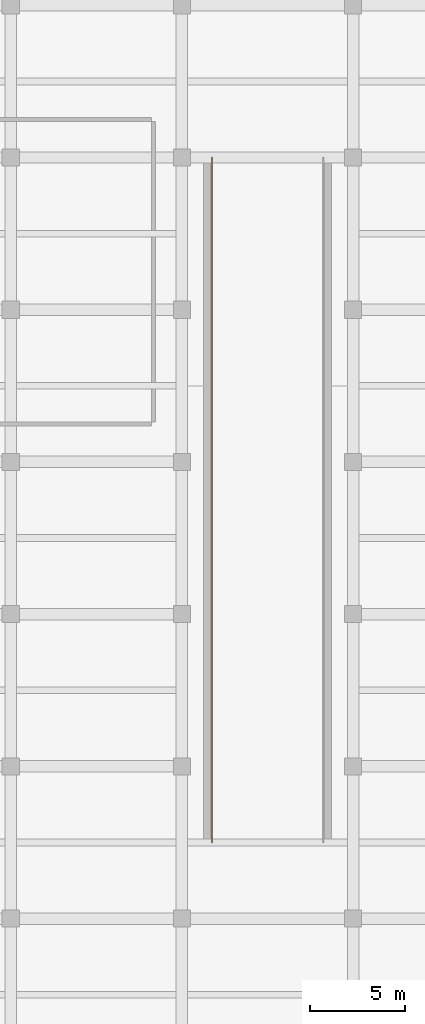
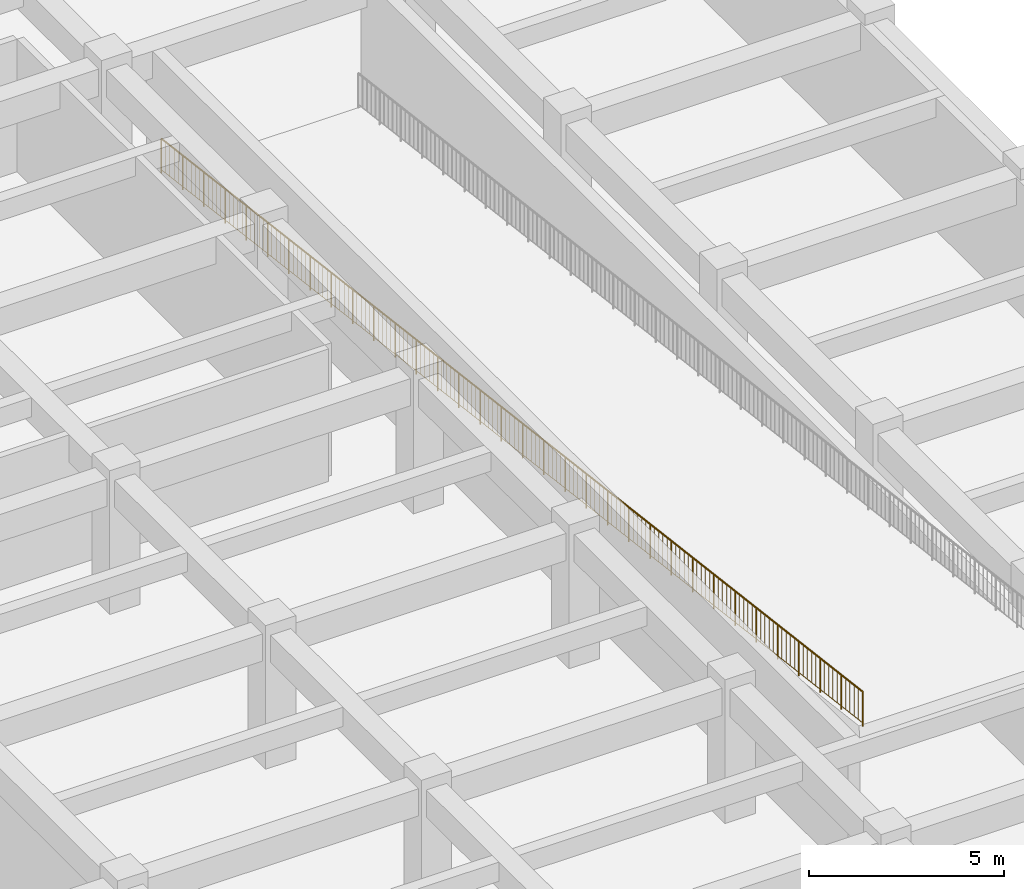
# One storey, part 24 of 26: 1 railing.
"""IFC4 building model written with IfcOpenShell, lengths in metres."""

import ifcopenshell
import ifcopenshell.guid

model = None  # the IFC model being written
_history = None  # IfcOwnerHistory: only IFC2X3 demands one
_inside = {}  # id of a spatial element -> (the spatial element, [elements in it])
_under = {}  # id of a project, library or spatial element -> (it, [spatial elements below it])
_declared = {}  # id of a project -> (the project, [libraries it declares])
_typed = {}  # id of a type object -> (the type object, [elements of that type])
_made_of = {}  # id of a material, layer set ... -> (it, [elements and type objects made of it])


def new_model(schema):
    """Start an empty IFC model of exactly this schema.

    Asked for "IFC4X3", IfcOpenShell would pick the latest addendum, in which some entities
    have other attributes; the version numbers below select the first issue.
    IFC2X3 requires an IfcOwnerHistory on every rooted entity: one is made here for all.
    """
    global model, _history
    if schema == "IFC4X3":
        model = ifcopenshell.file(schema_version=(4, 3, 0, 0))
    else:
        model = ifcopenshell.file(schema=schema)
    _inside.clear()
    _under.clear()
    _declared.clear()
    _typed.clear()
    _made_of.clear()
    _history = None
    if model.schema == "IFC2X3":
        org = make("IfcOrganization", Name="unknown")
        user = make(
            "IfcPersonAndOrganization",
            ThePerson=make("IfcPerson", FamilyName="unknown"),
            TheOrganization=org,
        )
        app = make(
            "IfcApplication",
            ApplicationDeveloper=org,
            Version="unknown",
            ApplicationFullName="unknown",
            ApplicationIdentifier="unknown",
        )
        _history = make(
            "IfcOwnerHistory",
            OwningUser=user,
            OwningApplication=app,
            ChangeAction="ADDED",
            CreationDate=0,
        )
    return model


def make(cls, **values):
    """One entity of the class cls with the attributes given. An attribute that is None is left unset."""
    return model.create_entity(
        cls, **{name: value for name, value in values.items() if value is not None}
    )


def rooted(cls, **values):
    """An entity with a GlobalId (a new one), such as an element, a storey or a relation."""
    return make(cls, GlobalId=ifcopenshell.guid.new(), OwnerHistory=_history, **values)


def si_unit(unit_type, name, prefix=None):
    """IfcSIUnit, for example si_unit("LENGTHUNIT", "METRE", prefix="MILLI")."""
    return make("IfcSIUnit", UnitType=unit_type, Prefix=prefix, Name=name)


def assignment(units):
    """IfcUnitAssignment: the units of a project."""
    return None if units is None else make("IfcUnitAssignment", Units=units)


def point(xyz):
    """IfcCartesianPoint."""
    return None if xyz is None else make("IfcCartesianPoint", Coordinates=xyz)


def direction(xyz):
    """IfcDirection."""
    return None if xyz is None else make("IfcDirection", DirectionRatios=xyz)


def frame(location, z_axis=None, x_axis=None):
    """IfcAxis2Placement3D, a coordinate frame: its origin and axes. An axis left out is left unset."""
    return make(
        "IfcAxis2Placement3D",
        Location=point(location),
        Axis=direction(z_axis),
        RefDirection=direction(x_axis),
    )


def frame_2d(location, x_axis=None):
    """IfcAxis2Placement2D, a coordinate frame in the plane: its origin and x axis."""
    return make(
        "IfcAxis2Placement2D", Location=point(location), RefDirection=direction(x_axis)
    )


def origin():
    """The frame at (0, 0, 0) with its axes left unset."""
    return frame((0.0, 0.0, 0.0))


def origin_2d():
    """The frame at (0, 0) in the plane with its x axis left unset."""
    return frame_2d((0.0, 0.0))


def place(relative_to, where):
    """IfcLocalPlacement: puts the frame where relative to a parent placement (None: the world)."""
    return make(
        "IfcLocalPlacement", PlacementRelTo=relative_to, RelativePlacement=where
    )


def context(
    kind, dimensions, precision=None, world=None, true_north=None, identifier=None
):
    """IfcGeometricRepresentationContext, for example the 3D "Model" context."""
    return make(
        "IfcGeometricRepresentationContext",
        ContextIdentifier=identifier,
        ContextType=kind,
        CoordinateSpaceDimension=dimensions,
        Precision=precision,
        WorldCoordinateSystem=world,
        TrueNorth=true_north,
    )


def subcontext(parent, identifier, kind, view, scale=None):
    """IfcGeometricRepresentationSubContext, for example "Body" below "Model"."""
    return make(
        "IfcGeometricRepresentationSubContext",
        ContextIdentifier=identifier,
        ContextType=kind,
        ParentContext=parent,
        TargetScale=scale,
        TargetView=view,
    )


def project(units=None, contexts=None):
    """IfcProject with its units and contexts."""
    return rooted(
        "IfcProject",
        Name="project",
        RepresentationContexts=contexts,
        UnitsInContext=assignment(units),
    )


def spatial(cls, under=None, at=None, **own):
    """A site, building, storey or space (cls), placed at a placement, below another one or the project."""
    s = rooted(cls, ObjectPlacement=at, **own)
    if under is not None:
        _under.setdefault(under.id(), (under, []))[1].append(s)
    return s


def profile(cls, at=None, kind="AREA", **sizes):
    """A parametric profile (cls). Its sizes go by their IFC names, for example OverallWidth=200.0."""
    return make(cls, ProfileType=kind, Position=at, **sizes)


def circle(**sizes):
    """IfcCircleProfileDef."""
    return profile("IfcCircleProfileDef", **sizes)


def extrude(swept, where, along, depth):
    """IfcExtrudedAreaSolid: the profile swept, set in the frame where, extruded along a direction by depth."""
    return make(
        "IfcExtrudedAreaSolid",
        SweptArea=swept,
        Position=where,
        ExtrudedDirection=direction(along),
        Depth=depth,
    )


def shape(context_of_items, identifier, shape_type, items):
    """IfcShapeRepresentation: the items that make up one representation, for example the "Body"."""
    return make(
        "IfcShapeRepresentation",
        ContextOfItems=context_of_items,
        RepresentationIdentifier=identifier,
        RepresentationType=shape_type,
        Items=items,
    )


def material(Name=None, Category=None):
    """IfcMaterial."""
    return make("IfcMaterial", Name=Name, Category=Category)


def layer(
    of_material, thickness, ventilated=None, Name=None, Category=None, Priority=None
):
    """IfcMaterialLayer: one layer of a wall or slab, of a material (None: an air gap)."""
    return make(
        "IfcMaterialLayer",
        Material=of_material,
        LayerThickness=thickness,
        IsVentilated=ventilated,
        Name=Name,
        Category=Category,
        Priority=Priority,
    )


def layer_set(layers, Name=None):
    """IfcMaterialLayerSet."""
    return make("IfcMaterialLayerSet", MaterialLayers=layers, LayerSetName=Name)


def made_of(thing, what):
    """Note that an element or type object is made of a material, layer set ...; save() writes the relation."""
    if what is not None:
        _made_of.setdefault(what.id(), (what, []))[1].append(thing)
    return thing


def type_object(cls, material=None, **own):
    """A type object (cls), such as IfcWallType, which elements share."""
    return made_of(rooted(cls, **own), material)


def element(
    cls,
    number,
    at=None,
    inside=None,
    cuts=None,
    type_object=None,
    material=None,
    context=None,
    identifier="Body",
    shape_type=None,
    held_by="IfcProductDefinitionShape",
    body=None,
    shapes=None,
    **own,
):
    """One element of the class cls, such as IfcWall. Its Tag is "e" and its number.

    at: its placement. inside: the storey or other place that contains it. cuts: it is an
    opening in that element (IfcRelVoidsElement). A single representation is given by context,
    identifier, shape_type and body (its items); several are given by shapes. held_by: the class
    of the entity that holds the representations. save() writes the other relations.
    """
    e = rooted(cls, Tag="e%d" % number, ObjectPlacement=at, **own)
    if body is not None:
        shapes = [shape(context, identifier, shape_type, body)]
    if shapes is not None:
        e.Representation = make(held_by, Representations=shapes)
    if inside is not None:
        _inside.setdefault(inside.id(), (inside, []))[1].append(e)
    if cuts is not None:
        rooted(
            "IfcRelVoidsElement", RelatingBuildingElement=cuts, RelatedOpeningElement=e
        )
    if type_object is not None:
        _typed.setdefault(type_object.id(), (type_object, []))[1].append(e)
    return made_of(e, material)


def aggregate(whole, parts):
    """IfcRelAggregates: a whole, such as a stair, and the parts it consists of."""
    return rooted("IfcRelAggregates", RelatingObject=whole, RelatedObjects=parts)


def save(model, path):
    """Write the relations noted so far, then the file.

    IfcRelAggregates (storeys below a building ...), IfcRelContainedInSpatialStructure (elements
    in a storey), IfcRelDefinesByType, IfcRelAssociatesMaterial and IfcRelDeclares: one each for
    every whole, place, type object, material and project.
    """
    for whole, parts in _under.values():
        aggregate(whole, parts)
    for where, things in _inside.values():
        rooted(
            "IfcRelContainedInSpatialStructure",
            RelatedElements=things,
            RelatingStructure=where,
        )
    for kind, things in _typed.values():
        rooted("IfcRelDefinesByType", RelatedObjects=things, RelatingType=kind)
    for what, things in _made_of.values():
        rooted("IfcRelAssociatesMaterial", RelatedObjects=things, RelatingMaterial=what)
    for by, libraries in _declared.values():
        rooted("IfcRelDeclares", RelatingContext=by, RelatedDefinitions=libraries)
    model.write(path)


model = new_model("IFC4")

# Units and contexts
model_context = context("Model", 3, precision=1e-05, world=origin(), true_north=direction((0.0, 1.0)))
body_context = subcontext(model_context, "Body", "Model", "MODEL_VIEW")
ifc_project = project(units=[si_unit("LENGTHUNIT", "METRE"), si_unit("AREAUNIT", "SQUARE_METRE"), si_unit("VOLUMEUNIT", "CUBIC_METRE"), si_unit("PLANEANGLEUNIT", "RADIAN"), si_unit("MASSUNIT", "GRAM", prefix="KILO")], contexts=[model_context])

# Site, building, storey
site_placement = place(None, origin())
site = spatial("IfcSite", under=ifc_project, at=site_placement, CompositionType="ELEMENT")
building_placement = place(site_placement, origin())
building = spatial("IfcBuilding", under=site, at=building_placement, Name="Zaverband Oceanarium and Marine Research Institute", CompositionType="ELEMENT")
storey_placement = place(building_placement, frame((0.0, 0.0, -4.5)))
storey = spatial("IfcBuildingStorey", under=building, at=storey_placement, Name="B1", CompositionType="ELEMENT", Elevation=-4.5)

# Railing
ifc_material = material(Name="Steel S355", Category="steel")
ifc_layer = layer(ifc_material, 0.06005859375, Name="Steel S355")
ifc_layer_set = layer_set([ifc_layer], Name="Steel S355")
railing_type = type_object("IfcRailingType", Name="GRD-1100", PredefinedType="BALUSTRADE", material=ifc_layer_set)
railing_placement = place(storey_placement, frame((163.580078125, 56.0, 0.0)))
element("IfcRailing", 1, at=railing_placement, inside=storey, type_object=railing_type, Name="1100 mm steel post-and-baluster safety guard GRD-1100", PredefinedType="BALUSTRADE", context=body_context, shape_type="SweptSolid", body=[
    extrude(circle(Radius=0.02392578125, at=origin_2d()), frame((0.0, 0.0, 1.076171875), z_axis=(0.0, -0.992277876714, 0.124034734589), x_axis=(1.0, 0.0, 0.0)), (0.0, 0.0, 1.0), 36.2802734375),
    extrude(circle(Radius=0.009033203125, at=origin_2d()), frame((0.0, 0.0, 0.10009765625), z_axis=(0.0, -0.992277876714, 0.124034734589), x_axis=(1.0, 0.0, 0.0)), (0.0, 0.0, 1.0), 36.2802734375),
    extrude(circle(Radius=0.009033203125, at=origin_2d()), frame((0.0, -0.21826171875, 0.12744140625)), (0.0, 0.0, 1.0), 0.951904296875),
    extrude(circle(Radius=0.009033203125, at=origin_2d()), frame((0.0, -0.436279296875, 0.154541015625)), (0.0, 0.0, 1.0), 0.951904296875),
    extrude(circle(Radius=0.009033203125, at=origin_2d()), frame((0.0, -0.654541015625, 0.181884765625)), (0.0, 0.0, 1.0), 0.951904296875),
    extrude(circle(Radius=0.009033203125, at=origin_2d()), frame((0.0, -0.872802734375, 0.209228515625)), (0.0, 0.0, 1.0), 0.951904296875),
    extrude(circle(Radius=0.009033203125, at=origin_2d()), frame((0.0, -1.0908203125, 0.236572265625)), (0.0, 0.0, 1.0), 0.951904296875),
    extrude(circle(Radius=0.009033203125, at=origin_2d()), frame((0.0, -1.30908203125, 0.263671875)), (0.0, 0.0, 1.0), 0.951904296875),
    extrude(circle(Radius=0.009033203125, at=origin_2d()), frame((0.0, -1.52734375, 0.291015625)), (0.0, 0.0, 1.0), 0.951904296875),
    extrude(circle(Radius=0.009033203125, at=origin_2d()), frame((0.0, -1.745361328125, 0.318359375)), (0.0, 0.0, 1.0), 0.951904296875),
    extrude(circle(Radius=0.009033203125, at=origin_2d()), frame((0.0, -1.963623046875, 0.345458984375)), (0.0, 0.0, 1.0), 0.951904296875),
    extrude(circle(Radius=0.009033203125, at=origin_2d()), frame((0.0, -2.181884765625, 0.372802734375)), (0.0, 0.0, 1.0), 0.951904296875),
    extrude(circle(Radius=0.009033203125, at=origin_2d()), frame((0.0, -2.39990234375, 0.400146484375)), (0.0, 0.0, 1.0), 0.951904296875),
    extrude(circle(Radius=0.009033203125, at=origin_2d()), frame((0.0, -2.6181640625, 0.427490234375)), (0.0, 0.0, 1.0), 0.951904296875),
    extrude(circle(Radius=0.009033203125, at=origin_2d()), frame((0.0, -2.83642578125, 0.45458984375)), (0.0, 0.0, 1.0), 0.951904296875),
    extrude(circle(Radius=0.009033203125, at=origin_2d()), frame((0.0, -3.054443359375, 0.48193359375)), (0.0, 0.0, 1.0), 0.951904296875),
    extrude(circle(Radius=0.009033203125, at=origin_2d()), frame((0.0, -3.272705078125, 0.50927734375)), (0.0, 0.0, 1.0), 0.951904296875),
    extrude(circle(Radius=0.009033203125, at=origin_2d()), frame((0.0, -3.490966796875, 0.536376953125)), (0.0, 0.0, 1.0), 0.951904296875),
    extrude(circle(Radius=0.009033203125, at=origin_2d()), frame((0.0, -3.708984375, 0.563720703125)), (0.0, 0.0, 1.0), 0.951904296875),
    extrude(circle(Radius=0.009033203125, at=origin_2d()), frame((0.0, -3.92724609375, 0.591064453125)), (0.0, 0.0, 1.0), 0.951904296875),
    extrude(circle(Radius=0.009033203125, at=origin_2d()), frame((0.0, -4.1455078125, 0.6181640625)), (0.0, 0.0, 1.0), 0.951904296875),
    extrude(circle(Radius=0.009033203125, at=origin_2d()), frame((0.0, -4.363525390625, 0.6455078125)), (0.0, 0.0, 1.0), 0.951904296875),
    extrude(circle(Radius=0.009033203125, at=origin_2d()), frame((0.0, -4.581787109375, 0.6728515625)), (0.0, 0.0, 1.0), 0.951904296875),
    extrude(circle(Radius=0.009033203125, at=origin_2d()), frame((0.0, -4.800048828125, 0.7001953125)), (0.0, 0.0, 1.0), 0.951904296875),
    extrude(circle(Radius=0.009033203125, at=origin_2d()), frame((0.0, -5.01806640625, 0.727294921875)), (0.0, 0.0, 1.0), 0.951904296875),
    extrude(circle(Radius=0.009033203125, at=origin_2d()), frame((0.0, -5.236328125, 0.754638671875)), (0.0, 0.0, 1.0), 0.951904296875),
    extrude(circle(Radius=0.009033203125, at=origin_2d()), frame((0.0, -5.45458984375, 0.781982421875)), (0.0, 0.0, 1.0), 0.951904296875),
    extrude(circle(Radius=0.009033203125, at=origin_2d()), frame((0.0, -5.672607421875, 0.80908203125)), (0.0, 0.0, 1.0), 0.951904296875),
    extrude(circle(Radius=0.009033203125, at=origin_2d()), frame((0.0, -5.890869140625, 0.83642578125)), (0.0, 0.0, 1.0), 0.951904296875),
    extrude(circle(Radius=0.009033203125, at=origin_2d()), frame((0.0, -6.109130859375, 0.86376953125)), (0.0, 0.0, 1.0), 0.951904296875),
    extrude(circle(Radius=0.009033203125, at=origin_2d()), frame((0.0, -6.327392578125, 0.89111328125)), (0.0, 0.0, 1.0), 0.951904296875),
    extrude(circle(Radius=0.009033203125, at=origin_2d()), frame((0.0, -6.54541015625, 0.918212890625)), (0.0, 0.0, 1.0), 0.951904296875),
    extrude(circle(Radius=0.009033203125, at=origin_2d()), frame((0.0, -6.763671875, 0.945556640625)), (0.0, 0.0, 1.0), 0.951904296875),
    extrude(circle(Radius=0.009033203125, at=origin_2d()), frame((0.0, -6.98193359375, 0.972900390625)), (0.0, 0.0, 1.0), 0.951904296875),
    extrude(circle(Radius=0.009033203125, at=origin_2d()), frame((0.0, -7.199951171875, 1.0)), (0.0, 0.0, 1.0), 0.951904296875),
    extrude(circle(Radius=0.009033203125, at=origin_2d()), frame((0.0, -7.418212890625, 1.02734375)), (0.0, 0.0, 1.0), 0.951904296875),
    extrude(circle(Radius=0.009033203125, at=origin_2d()), frame((0.0, -7.636474609375, 1.0546875)), (0.0, 0.0, 1.0), 0.951904296875),
    extrude(circle(Radius=0.009033203125, at=origin_2d()), frame((0.0, -7.8544921875, 1.08203125)), (0.0, 0.0, 1.0), 0.951904296875),
    extrude(circle(Radius=0.009033203125, at=origin_2d()), frame((0.0, -8.07275390625, 1.109130859375)), (0.0, 0.0, 1.0), 0.951904296875),
    extrude(circle(Radius=0.009033203125, at=origin_2d()), frame((0.0, -8.291015625, 1.136474609375)), (0.0, 0.0, 1.0), 0.951904296875),
    extrude(circle(Radius=0.009033203125, at=origin_2d()), frame((0.0, -8.509033203125, 1.163818359375)), (0.0, 0.0, 1.0), 0.951904296875),
    extrude(circle(Radius=0.009033203125, at=origin_2d()), frame((0.0, -8.727294921875, 1.19091796875)), (0.0, 0.0, 1.0), 0.951904296875),
    extrude(circle(Radius=0.009033203125, at=origin_2d()), frame((0.0, -8.945556640625, 1.21826171875)), (0.0, 0.0, 1.0), 0.951904296875),
    extrude(circle(Radius=0.009033203125, at=origin_2d()), frame((0.0, -9.16357421875, 1.24560546875)), (0.0, 0.0, 1.0), 0.951904296875),
    extrude(circle(Radius=0.009033203125, at=origin_2d()), frame((0.0, -9.3818359375, 1.272705078125)), (0.0, 0.0, 1.0), 0.951904296875),
    extrude(circle(Radius=0.009033203125, at=origin_2d()), frame((0.0, -9.60009765625, 1.300048828125)), (0.0, 0.0, 1.0), 0.951904296875),
    extrude(circle(Radius=0.009033203125, at=origin_2d()), frame((0.0, -9.818115234375, 1.327392578125)), (0.0, 0.0, 1.0), 0.951904296875),
    extrude(circle(Radius=0.009033203125, at=origin_2d()), frame((0.0, -10.036376953125, 1.354736328125)), (0.0, 0.0, 1.0), 0.951904296875),
    extrude(circle(Radius=0.009033203125, at=origin_2d()), frame((0.0, -10.254638671875, 1.3818359375)), (0.0, 0.0, 1.0), 0.951904296875),
    extrude(circle(Radius=0.009033203125, at=origin_2d()), frame((0.0, -10.47265625, 1.4091796875)), (0.0, 0.0, 1.0), 0.951904296875),
    extrude(circle(Radius=0.009033203125, at=origin_2d()), frame((0.0, -10.69091796875, 1.4365234375)), (0.0, 0.0, 1.0), 0.951904296875),
    extrude(circle(Radius=0.009033203125, at=origin_2d()), frame((0.0, -10.9091796875, 1.463623046875)), (0.0, 0.0, 1.0), 0.951904296875),
    extrude(circle(Radius=0.009033203125, at=origin_2d()), frame((0.0, -11.127197265625, 1.490966796875)), (0.0, 0.0, 1.0), 0.951904296875),
    extrude(circle(Radius=0.009033203125, at=origin_2d()), frame((0.0, -11.345458984375, 1.518310546875)), (0.0, 0.0, 1.0), 0.951904296875),
    extrude(circle(Radius=0.009033203125, at=origin_2d()), frame((0.0, -11.563720703125, 1.545654296875)), (0.0, 0.0, 1.0), 0.951904296875),
    extrude(circle(Radius=0.009033203125, at=origin_2d()), frame((0.0, -11.78173828125, 1.57275390625)), (0.0, 0.0, 1.0), 0.951904296875),
    extrude(circle(Radius=0.009033203125, at=origin_2d()), frame((0.0, -12.0, 1.60009765625)), (0.0, 0.0, 1.0), 0.951904296875),
    extrude(circle(Radius=0.009033203125, at=origin_2d()), frame((0.0, -12.21826171875, 1.62744140625)), (0.0, 0.0, 1.0), 0.951904296875),
    extrude(circle(Radius=0.009033203125, at=origin_2d()), frame((0.0, -12.436279296875, 1.654541015625)), (0.0, 0.0, 1.0), 0.951904296875),
    extrude(circle(Radius=0.009033203125, at=origin_2d()), frame((0.0, -12.654541015625, 1.681884765625)), (0.0, 0.0, 1.0), 0.951904296875),
    extrude(circle(Radius=0.009033203125, at=origin_2d()), frame((0.0, -12.872802734375, 1.709228515625)), (0.0, 0.0, 1.0), 0.951904296875),
    extrude(circle(Radius=0.009033203125, at=origin_2d()), frame((0.0, -13.0908203125, 1.736572265625)), (0.0, 0.0, 1.0), 0.951904296875),
    extrude(circle(Radius=0.009033203125, at=origin_2d()), frame((0.0, -13.30908203125, 1.763671875)), (0.0, 0.0, 1.0), 0.951904296875),
    extrude(circle(Radius=0.009033203125, at=origin_2d()), frame((0.0, -13.52734375, 1.791015625)), (0.0, 0.0, 1.0), 0.951904296875),
    extrude(circle(Radius=0.009033203125, at=origin_2d()), frame((0.0, -13.745361328125, 1.818359375)), (0.0, 0.0, 1.0), 0.951904296875),
    extrude(circle(Radius=0.009033203125, at=origin_2d()), frame((0.0, -13.963623046875, 1.845458984375)), (0.0, 0.0, 1.0), 0.951904296875),
    extrude(circle(Radius=0.009033203125, at=origin_2d()), frame((0.0, -14.181884765625, 1.872802734375)), (0.0, 0.0, 1.0), 0.951904296875),
    extrude(circle(Radius=0.009033203125, at=origin_2d()), frame((0.0, -14.39990234375, 1.900146484375)), (0.0, 0.0, 1.0), 0.951904296875),
    extrude(circle(Radius=0.009033203125, at=origin_2d()), frame((0.0, -14.6181640625, 1.927490234375)), (0.0, 0.0, 1.0), 0.951904296875),
    extrude(circle(Radius=0.009033203125, at=origin_2d()), frame((0.0, -14.83642578125, 1.95458984375)), (0.0, 0.0, 1.0), 0.951904296875),
    extrude(circle(Radius=0.009033203125, at=origin_2d()), frame((0.0, -15.054443359375, 1.98193359375)), (0.0, 0.0, 1.0), 0.951904296875),
    extrude(circle(Radius=0.009033203125, at=origin_2d()), frame((0.0, -15.272705078125, 2.00927734375)), (0.0, 0.0, 1.0), 0.951904296875),
    extrude(circle(Radius=0.009033203125, at=origin_2d()), frame((0.0, -15.490966796875, 2.036376953125)), (0.0, 0.0, 1.0), 0.951904296875),
    extrude(circle(Radius=0.009033203125, at=origin_2d()), frame((0.0, -15.708984375, 2.063720703125)), (0.0, 0.0, 1.0), 0.951904296875),
    extrude(circle(Radius=0.009033203125, at=origin_2d()), frame((0.0, -15.92724609375, 2.091064453125)), (0.0, 0.0, 1.0), 0.951904296875),
    extrude(circle(Radius=0.009033203125, at=origin_2d()), frame((0.0, -16.1455078125, 2.1181640625)), (0.0, 0.0, 1.0), 0.951904296875),
    extrude(circle(Radius=0.009033203125, at=origin_2d()), frame((0.0, -16.363525390625, 2.1455078125)), (0.0, 0.0, 1.0), 0.951904296875),
    extrude(circle(Radius=0.009033203125, at=origin_2d()), frame((0.0, -16.581787109375, 2.1728515625)), (0.0, 0.0, 1.0), 0.951904296875),
    extrude(circle(Radius=0.009033203125, at=origin_2d()), frame((0.0, -16.800048828125, 2.2001953125)), (0.0, 0.0, 1.0), 0.951904296875),
    extrude(circle(Radius=0.009033203125, at=origin_2d()), frame((0.0, -17.01806640625, 2.227294921875)), (0.0, 0.0, 1.0), 0.951904296875),
    extrude(circle(Radius=0.009033203125, at=origin_2d()), frame((0.0, -17.236328125, 2.254638671875)), (0.0, 0.0, 1.0), 0.951904296875),
    extrude(circle(Radius=0.009033203125, at=origin_2d()), frame((0.0, -17.45458984375, 2.281982421875)), (0.0, 0.0, 1.0), 0.951904296875),
    extrude(circle(Radius=0.009033203125, at=origin_2d()), frame((0.0, -17.672607421875, 2.30908203125)), (0.0, 0.0, 1.0), 0.951904296875),
    extrude(circle(Radius=0.009033203125, at=origin_2d()), frame((0.0, -17.890869140625, 2.33642578125)), (0.0, 0.0, 1.0), 0.951904296875),
    extrude(circle(Radius=0.009033203125, at=origin_2d()), frame((0.0, -18.109130859375, 2.36376953125)), (0.0, 0.0, 1.0), 0.951904296875),
    extrude(circle(Radius=0.009033203125, at=origin_2d()), frame((0.0, -18.327392578125, 2.39111328125)), (0.0, 0.0, 1.0), 0.951904296875),
    extrude(circle(Radius=0.009033203125, at=origin_2d()), frame((0.0, -18.54541015625, 2.418212890625)), (0.0, 0.0, 1.0), 0.951904296875),
    extrude(circle(Radius=0.009033203125, at=origin_2d()), frame((0.0, -18.763671875, 2.445556640625)), (0.0, 0.0, 1.0), 0.951904296875),
    extrude(circle(Radius=0.009033203125, at=origin_2d()), frame((0.0, -18.98193359375, 2.472900390625)), (0.0, 0.0, 1.0), 0.951904296875),
    extrude(circle(Radius=0.009033203125, at=origin_2d()), frame((0.0, -19.199951171875, 2.5)), (0.0, 0.0, 1.0), 0.951904296875),
    extrude(circle(Radius=0.009033203125, at=origin_2d()), frame((0.0, -19.418212890625, 2.52734375)), (0.0, 0.0, 1.0), 0.951904296875),
    extrude(circle(Radius=0.009033203125, at=origin_2d()), frame((0.0, -19.636474609375, 2.5546875)), (0.0, 0.0, 1.0), 0.951904296875),
    extrude(circle(Radius=0.009033203125, at=origin_2d()), frame((0.0, -19.8544921875, 2.58203125)), (0.0, 0.0, 1.0), 0.951904296875),
    extrude(circle(Radius=0.009033203125, at=origin_2d()), frame((0.0, -20.07275390625, 2.609130859375)), (0.0, 0.0, 1.0), 0.951904296875),
    extrude(circle(Radius=0.009033203125, at=origin_2d()), frame((0.0, -20.291015625, 2.636474609375)), (0.0, 0.0, 1.0), 0.951904296875),
    extrude(circle(Radius=0.009033203125, at=origin_2d()), frame((0.0, -20.509033203125, 2.663818359375)), (0.0, 0.0, 1.0), 0.951904296875),
    extrude(circle(Radius=0.009033203125, at=origin_2d()), frame((0.0, -20.727294921875, 2.69091796875)), (0.0, 0.0, 1.0), 0.951904296875),
    extrude(circle(Radius=0.009033203125, at=origin_2d()), frame((0.0, -20.945556640625, 2.71826171875)), (0.0, 0.0, 1.0), 0.951904296875),
    extrude(circle(Radius=0.009033203125, at=origin_2d()), frame((0.0, -21.16357421875, 2.74560546875)), (0.0, 0.0, 1.0), 0.951904296875),
    extrude(circle(Radius=0.009033203125, at=origin_2d()), frame((0.0, -21.3818359375, 2.772705078125)), (0.0, 0.0, 1.0), 0.951904296875),
    extrude(circle(Radius=0.009033203125, at=origin_2d()), frame((0.0, -21.60009765625, 2.800048828125)), (0.0, 0.0, 1.0), 0.951904296875),
    extrude(circle(Radius=0.009033203125, at=origin_2d()), frame((0.0, -21.818115234375, 2.827392578125)), (0.0, 0.0, 1.0), 0.951904296875),
    extrude(circle(Radius=0.009033203125, at=origin_2d()), frame((0.0, -22.036376953125, 2.854736328125)), (0.0, 0.0, 1.0), 0.951904296875),
    extrude(circle(Radius=0.009033203125, at=origin_2d()), frame((0.0, -22.254638671875, 2.8818359375)), (0.0, 0.0, 1.0), 0.951904296875),
    extrude(circle(Radius=0.009033203125, at=origin_2d()), frame((0.0, -22.47265625, 2.9091796875)), (0.0, 0.0, 1.0), 0.951904296875),
    extrude(circle(Radius=0.009033203125, at=origin_2d()), frame((0.0, -22.69091796875, 2.9365234375)), (0.0, 0.0, 1.0), 0.951904296875),
    extrude(circle(Radius=0.009033203125, at=origin_2d()), frame((0.0, -22.9091796875, 2.963623046875)), (0.0, 0.0, 1.0), 0.951904296875),
    extrude(circle(Radius=0.009033203125, at=origin_2d()), frame((0.0, -23.127197265625, 2.990966796875)), (0.0, 0.0, 1.0), 0.951904296875),
    extrude(circle(Radius=0.009033203125, at=origin_2d()), frame((0.0, -23.345458984375, 3.018310546875)), (0.0, 0.0, 1.0), 0.951904296875),
    extrude(circle(Radius=0.009033203125, at=origin_2d()), frame((0.0, -23.563720703125, 3.045654296875)), (0.0, 0.0, 1.0), 0.951904296875),
    extrude(circle(Radius=0.009033203125, at=origin_2d()), frame((0.0, -23.78173828125, 3.07275390625)), (0.0, 0.0, 1.0), 0.951904296875),
    extrude(circle(Radius=0.009033203125, at=origin_2d()), frame((0.0, -24.0, 3.10009765625)), (0.0, 0.0, 1.0), 0.951904296875),
    extrude(circle(Radius=0.009033203125, at=origin_2d()), frame((0.0, -24.21826171875, 3.12744140625)), (0.0, 0.0, 1.0), 0.951904296875),
    extrude(circle(Radius=0.009033203125, at=origin_2d()), frame((0.0, -24.436279296875, 3.154541015625)), (0.0, 0.0, 1.0), 0.951904296875),
    extrude(circle(Radius=0.009033203125, at=origin_2d()), frame((0.0, -24.654541015625, 3.181884765625)), (0.0, 0.0, 1.0), 0.951904296875),
    extrude(circle(Radius=0.009033203125, at=origin_2d()), frame((0.0, -24.872802734375, 3.209228515625)), (0.0, 0.0, 1.0), 0.951904296875),
    extrude(circle(Radius=0.009033203125, at=origin_2d()), frame((0.0, -25.0908203125, 3.236572265625)), (0.0, 0.0, 1.0), 0.951904296875),
    extrude(circle(Radius=0.009033203125, at=origin_2d()), frame((0.0, -25.30908203125, 3.263671875)), (0.0, 0.0, 1.0), 0.951904296875),
    extrude(circle(Radius=0.009033203125, at=origin_2d()), frame((0.0, -25.52734375, 3.291015625)), (0.0, 0.0, 1.0), 0.951904296875),
    extrude(circle(Radius=0.009033203125, at=origin_2d()), frame((0.0, -25.745361328125, 3.318359375)), (0.0, 0.0, 1.0), 0.951904296875),
    extrude(circle(Radius=0.009033203125, at=origin_2d()), frame((0.0, -25.963623046875, 3.345458984375)), (0.0, 0.0, 1.0), 0.951904296875),
    extrude(circle(Radius=0.009033203125, at=origin_2d()), frame((0.0, -26.181884765625, 3.372802734375)), (0.0, 0.0, 1.0), 0.951904296875),
    extrude(circle(Radius=0.009033203125, at=origin_2d()), frame((0.0, -26.39990234375, 3.400146484375)), (0.0, 0.0, 1.0), 0.951904296875),
    extrude(circle(Radius=0.009033203125, at=origin_2d()), frame((0.0, -26.6181640625, 3.427490234375)), (0.0, 0.0, 1.0), 0.951904296875),
    extrude(circle(Radius=0.009033203125, at=origin_2d()), frame((0.0, -26.83642578125, 3.45458984375)), (0.0, 0.0, 1.0), 0.951904296875),
    extrude(circle(Radius=0.009033203125, at=origin_2d()), frame((0.0, -27.054443359375, 3.48193359375)), (0.0, 0.0, 1.0), 0.951904296875),
    extrude(circle(Radius=0.009033203125, at=origin_2d()), frame((0.0, -27.272705078125, 3.50927734375)), (0.0, 0.0, 1.0), 0.951904296875),
    extrude(circle(Radius=0.009033203125, at=origin_2d()), frame((0.0, -27.490966796875, 3.536376953125)), (0.0, 0.0, 1.0), 0.951904296875),
    extrude(circle(Radius=0.009033203125, at=origin_2d()), frame((0.0, -27.708984375, 3.563720703125)), (0.0, 0.0, 1.0), 0.951904296875),
    extrude(circle(Radius=0.009033203125, at=origin_2d()), frame((0.0, -27.92724609375, 3.591064453125)), (0.0, 0.0, 1.0), 0.951904296875),
    extrude(circle(Radius=0.009033203125, at=origin_2d()), frame((0.0, -28.1455078125, 3.6181640625)), (0.0, 0.0, 1.0), 0.951904296875),
    extrude(circle(Radius=0.009033203125, at=origin_2d()), frame((0.0, -28.363525390625, 3.6455078125)), (0.0, 0.0, 1.0), 0.951904296875),
    extrude(circle(Radius=0.009033203125, at=origin_2d()), frame((0.0, -28.581787109375, 3.6728515625)), (0.0, 0.0, 1.0), 0.951904296875),
    extrude(circle(Radius=0.009033203125, at=origin_2d()), frame((0.0, -28.800048828125, 3.7001953125)), (0.0, 0.0, 1.0), 0.951904296875),
    extrude(circle(Radius=0.009033203125, at=origin_2d()), frame((0.0, -29.01806640625, 3.727294921875)), (0.0, 0.0, 1.0), 0.951904296875),
    extrude(circle(Radius=0.009033203125, at=origin_2d()), frame((0.0, -29.236328125, 3.754638671875)), (0.0, 0.0, 1.0), 0.951904296875),
    extrude(circle(Radius=0.009033203125, at=origin_2d()), frame((0.0, -29.45458984375, 3.781982421875)), (0.0, 0.0, 1.0), 0.951904296875),
    extrude(circle(Radius=0.009033203125, at=origin_2d()), frame((0.0, -29.672607421875, 3.80908203125)), (0.0, 0.0, 1.0), 0.951904296875),
    extrude(circle(Radius=0.009033203125, at=origin_2d()), frame((0.0, -29.890869140625, 3.83642578125)), (0.0, 0.0, 1.0), 0.951904296875),
    extrude(circle(Radius=0.009033203125, at=origin_2d()), frame((0.0, -30.109130859375, 3.86376953125)), (0.0, 0.0, 1.0), 0.951904296875),
    extrude(circle(Radius=0.009033203125, at=origin_2d()), frame((0.0, -30.327392578125, 3.89111328125)), (0.0, 0.0, 1.0), 0.951904296875),
    extrude(circle(Radius=0.009033203125, at=origin_2d()), frame((0.0, -30.54541015625, 3.918212890625)), (0.0, 0.0, 1.0), 0.951904296875),
    extrude(circle(Radius=0.009033203125, at=origin_2d()), frame((0.0, -30.763671875, 3.945556640625)), (0.0, 0.0, 1.0), 0.951904296875),
    extrude(circle(Radius=0.009033203125, at=origin_2d()), frame((0.0, -30.98193359375, 3.972900390625)), (0.0, 0.0, 1.0), 0.951904296875),
    extrude(circle(Radius=0.009033203125, at=origin_2d()), frame((0.0, -31.199951171875, 4.0)), (0.0, 0.0, 1.0), 0.951904296875),
    extrude(circle(Radius=0.009033203125, at=origin_2d()), frame((0.0, -31.418212890625, 4.02734375)), (0.0, 0.0, 1.0), 0.951904296875),
    extrude(circle(Radius=0.009033203125, at=origin_2d()), frame((0.0, -31.636474609375, 4.0546875)), (0.0, 0.0, 1.0), 0.951904296875),
    extrude(circle(Radius=0.009033203125, at=origin_2d()), frame((0.0, -31.8544921875, 4.08203125)), (0.0, 0.0, 1.0), 0.951904296875),
    extrude(circle(Radius=0.009033203125, at=origin_2d()), frame((0.0, -32.07275390625, 4.109130859375)), (0.0, 0.0, 1.0), 0.951904296875),
    extrude(circle(Radius=0.009033203125, at=origin_2d()), frame((0.0, -32.291015625, 4.136474609375)), (0.0, 0.0, 1.0), 0.951904296875),
    extrude(circle(Radius=0.009033203125, at=origin_2d()), frame((0.0, -32.509033203125, 4.163818359375)), (0.0, 0.0, 1.0), 0.951904296875),
    extrude(circle(Radius=0.009033203125, at=origin_2d()), frame((0.0, -32.727294921875, 4.19091796875)), (0.0, 0.0, 1.0), 0.951904296875),
    extrude(circle(Radius=0.009033203125, at=origin_2d()), frame((0.0, -32.945556640625, 4.21826171875)), (0.0, 0.0, 1.0), 0.951904296875),
    extrude(circle(Radius=0.009033203125, at=origin_2d()), frame((0.0, -33.16357421875, 4.24560546875)), (0.0, 0.0, 1.0), 0.951904296875),
    extrude(circle(Radius=0.009033203125, at=origin_2d()), frame((0.0, -33.3818359375, 4.272705078125)), (0.0, 0.0, 1.0), 0.951904296875),
    extrude(circle(Radius=0.009033203125, at=origin_2d()), frame((0.0, -33.60009765625, 4.300048828125)), (0.0, 0.0, 1.0), 0.951904296875),
    extrude(circle(Radius=0.009033203125, at=origin_2d()), frame((0.0, -33.818115234375, 4.327392578125)), (0.0, 0.0, 1.0), 0.951904296875),
    extrude(circle(Radius=0.009033203125, at=origin_2d()), frame((0.0, -34.036376953125, 4.354736328125)), (0.0, 0.0, 1.0), 0.951904296875),
    extrude(circle(Radius=0.009033203125, at=origin_2d()), frame((0.0, -34.254638671875, 4.3818359375)), (0.0, 0.0, 1.0), 0.951904296875),
    extrude(circle(Radius=0.009033203125, at=origin_2d()), frame((0.0, -34.47265625, 4.4091796875)), (0.0, 0.0, 1.0), 0.951904296875),
    extrude(circle(Radius=0.009033203125, at=origin_2d()), frame((0.0, -34.69091796875, 4.4365234375)), (0.0, 0.0, 1.0), 0.951904296875),
    extrude(circle(Radius=0.009033203125, at=origin_2d()), frame((0.0, -34.9091796875, 4.463623046875)), (0.0, 0.0, 1.0), 0.951904296875),
    extrude(circle(Radius=0.009033203125, at=origin_2d()), frame((0.0, -35.127197265625, 4.490966796875)), (0.0, 0.0, 1.0), 0.951904296875),
    extrude(circle(Radius=0.009033203125, at=origin_2d()), frame((0.0, -35.345458984375, 4.518310546875)), (0.0, 0.0, 1.0), 0.951904296875),
    extrude(circle(Radius=0.009033203125, at=origin_2d()), frame((0.0, -35.563720703125, 4.545654296875)), (0.0, 0.0, 1.0), 0.951904296875),
    extrude(circle(Radius=0.009033203125, at=origin_2d()), frame((0.0, -35.78173828125, 4.57275390625)), (0.0, 0.0, 1.0), 0.951904296875),
    extrude(circle(Radius=0.02099609375, at=origin_2d()), origin(), (0.0, 0.0, 1.0), 1.052001953125),
    extrude(circle(Radius=0.02099609375, at=origin_2d()), frame((0.0, -1.0908203125, 0.136474609375)), (0.0, 0.0, 1.0), 1.052001953125),
    extrude(circle(Radius=0.02099609375, at=origin_2d()), frame((0.0, -2.181884765625, 0.272705078125)), (0.0, 0.0, 1.0), 1.052001953125),
    extrude(circle(Radius=0.02099609375, at=origin_2d()), frame((0.0, -3.272705078125, 0.4091796875)), (0.0, 0.0, 1.0), 1.052001953125),
    extrude(circle(Radius=0.02099609375, at=origin_2d()), frame((0.0, -4.363525390625, 0.54541015625)), (0.0, 0.0, 1.0), 1.052001953125),
    extrude(circle(Radius=0.02099609375, at=origin_2d()), frame((0.0, -5.45458984375, 0.681884765625)), (0.0, 0.0, 1.0), 1.052001953125),
    extrude(circle(Radius=0.02099609375, at=origin_2d()), frame((0.0, -6.54541015625, 0.818115234375)), (0.0, 0.0, 1.0), 1.052001953125),
    extrude(circle(Radius=0.02099609375, at=origin_2d()), frame((0.0, -7.636474609375, 0.95458984375)), (0.0, 0.0, 1.0), 1.052001953125),
    extrude(circle(Radius=0.02099609375, at=origin_2d()), frame((0.0, -8.727294921875, 1.0908203125)), (0.0, 0.0, 1.0), 1.052001953125),
    extrude(circle(Radius=0.02099609375, at=origin_2d()), frame((0.0, -9.818115234375, 1.227294921875)), (0.0, 0.0, 1.0), 1.052001953125),
    extrude(circle(Radius=0.02099609375, at=origin_2d()), frame((0.0, -10.9091796875, 1.363525390625)), (0.0, 0.0, 1.0), 1.052001953125),
    extrude(circle(Radius=0.02099609375, at=origin_2d()), frame((0.0, -12.0, 1.5)), (0.0, 0.0, 1.0), 1.052001953125),
    extrude(circle(Radius=0.02099609375, at=origin_2d()), frame((0.0, -13.0908203125, 1.636474609375)), (0.0, 0.0, 1.0), 1.052001953125),
    extrude(circle(Radius=0.02099609375, at=origin_2d()), frame((0.0, -14.181884765625, 1.772705078125)), (0.0, 0.0, 1.0), 1.052001953125),
    extrude(circle(Radius=0.02099609375, at=origin_2d()), frame((0.0, -15.272705078125, 1.9091796875)), (0.0, 0.0, 1.0), 1.052001953125),
    extrude(circle(Radius=0.02099609375, at=origin_2d()), frame((0.0, -16.363525390625, 2.04541015625)), (0.0, 0.0, 1.0), 1.052001953125),
    extrude(circle(Radius=0.02099609375, at=origin_2d()), frame((0.0, -17.45458984375, 2.181884765625)), (0.0, 0.0, 1.0), 1.052001953125),
    extrude(circle(Radius=0.02099609375, at=origin_2d()), frame((0.0, -18.54541015625, 2.318115234375)), (0.0, 0.0, 1.0), 1.052001953125),
    extrude(circle(Radius=0.02099609375, at=origin_2d()), frame((0.0, -19.636474609375, 2.45458984375)), (0.0, 0.0, 1.0), 1.052001953125),
    extrude(circle(Radius=0.02099609375, at=origin_2d()), frame((0.0, -20.727294921875, 2.5908203125)), (0.0, 0.0, 1.0), 1.052001953125),
    extrude(circle(Radius=0.02099609375, at=origin_2d()), frame((0.0, -21.818115234375, 2.727294921875)), (0.0, 0.0, 1.0), 1.052001953125),
    extrude(circle(Radius=0.02099609375, at=origin_2d()), frame((0.0, -22.9091796875, 2.863525390625)), (0.0, 0.0, 1.0), 1.052001953125),
    extrude(circle(Radius=0.02099609375, at=origin_2d()), frame((0.0, -24.0, 3.0)), (0.0, 0.0, 1.0), 1.052001953125),
    extrude(circle(Radius=0.02099609375, at=origin_2d()), frame((0.0, -25.0908203125, 3.136474609375)), (0.0, 0.0, 1.0), 1.052001953125),
    extrude(circle(Radius=0.02099609375, at=origin_2d()), frame((0.0, -26.181884765625, 3.272705078125)), (0.0, 0.0, 1.0), 1.052001953125),
    extrude(circle(Radius=0.02099609375, at=origin_2d()), frame((0.0, -27.272705078125, 3.4091796875)), (0.0, 0.0, 1.0), 1.052001953125),
    extrude(circle(Radius=0.02099609375, at=origin_2d()), frame((0.0, -28.363525390625, 3.54541015625)), (0.0, 0.0, 1.0), 1.052001953125),
    extrude(circle(Radius=0.02099609375, at=origin_2d()), frame((0.0, -29.45458984375, 3.681884765625)), (0.0, 0.0, 1.0), 1.052001953125),
    extrude(circle(Radius=0.02099609375, at=origin_2d()), frame((0.0, -30.54541015625, 3.818115234375)), (0.0, 0.0, 1.0), 1.052001953125),
    extrude(circle(Radius=0.02099609375, at=origin_2d()), frame((0.0, -31.636474609375, 3.95458984375)), (0.0, 0.0, 1.0), 1.052001953125),
    extrude(circle(Radius=0.02099609375, at=origin_2d()), frame((0.0, -32.727294921875, 4.0908203125)), (0.0, 0.0, 1.0), 1.052001953125),
    extrude(circle(Radius=0.02099609375, at=origin_2d()), frame((0.0, -33.818115234375, 4.227294921875)), (0.0, 0.0, 1.0), 1.052001953125),
    extrude(circle(Radius=0.02099609375, at=origin_2d()), frame((0.0, -34.9091796875, 4.363525390625)), (0.0, 0.0, 1.0), 1.052001953125),
    extrude(circle(Radius=0.02099609375, at=origin_2d()), frame((0.0, -36.0, 4.5)), (0.0, 0.0, 1.0), 1.052001953125),
])

save(model, "model.ifc")
